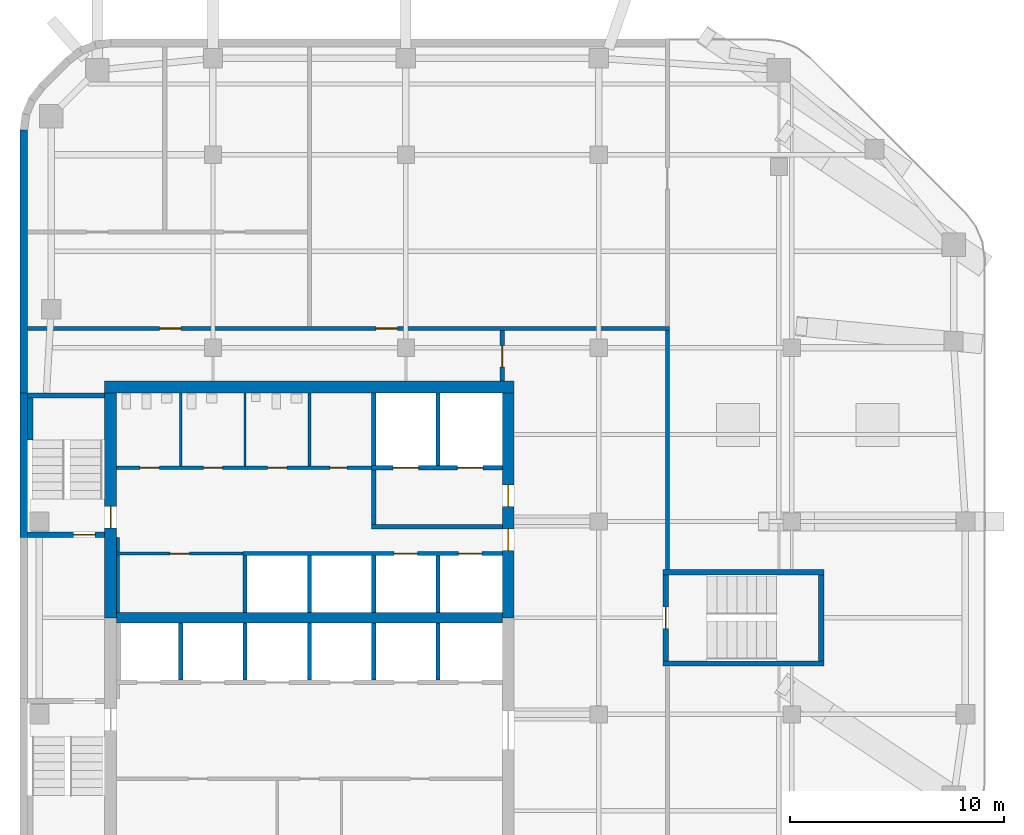
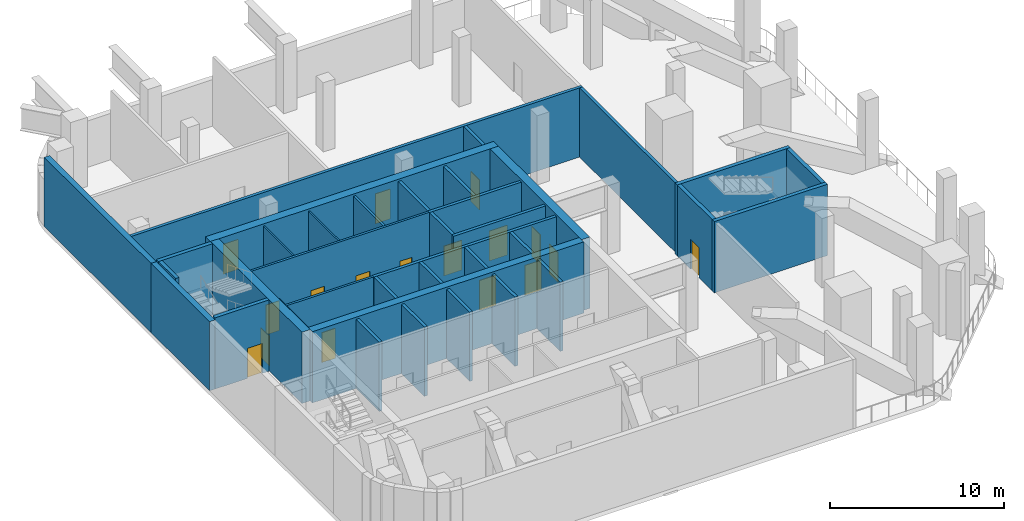
# One storey, part 4 of 8: 38 walls, 17 doors, 17 openings.
"""IFC4 building model written with IfcOpenShell, lengths in metres."""

from ifc_helpers import new_model, si_unit, direction, frame, frame_2d, origin, place, context, subcontext, project, spatial, rectangle, extrude, material, layer, layer_set, type_object, element, fill, save


model = new_model("IFC4")

# Units and contexts
model_context = context("Model", 3, precision=1e-05, world=origin(), true_north=direction((0.0, 1.0)))
body_context = subcontext(model_context, "Body", "Model", "MODEL_VIEW")
ifc_project = project(units=[si_unit("LENGTHUNIT", "METRE"), si_unit("AREAUNIT", "SQUARE_METRE"), si_unit("VOLUMEUNIT", "CUBIC_METRE"), si_unit("PLANEANGLEUNIT", "RADIAN"), si_unit("MASSUNIT", "GRAM", prefix="KILO")], contexts=[model_context])

# Site, building, storey
site_placement = place(None, origin())
site = spatial("IfcSite", under=ifc_project, at=site_placement, CompositionType="ELEMENT")
building_placement = place(site_placement, origin())
building = spatial("IfcBuilding", under=site, at=building_placement, Name="Cinnabar Reach Civic Tower", CompositionType="ELEMENT")
storey_placement = place(building_placement, frame((0.0, 0.0, 242.0)))
storey = spatial("IfcBuildingStorey", under=building, at=storey_placement, Name="L58", CompositionType="ELEMENT", Elevation=242.0)

# Walls
ifc_material_1 = material(Name="Facing brick with insulated backing", Category="masonry")
ifc_layer_1 = layer(ifc_material_1, 0.36)
ifc_layer_set_1 = layer_set([ifc_layer_1], Name="Brick pier and spandrel wall")
wall_type_1 = type_object("IfcWallType", Name="Brick pier and spandrel wall", PredefinedType="STANDARD", material=ifc_layer_set_1)
wall_1_placement = place(storey_placement, frame((0.18, 54.2574, 0.0), z_axis=(0.0, 0.0, 1.0), x_axis=(0.0, -1.0, 0.0)))
element("IfcWall", 1, at=wall_1_placement, inside=storey, type_object=wall_type_1, Name="Brick facade wall", PredefinedType="STANDARD", context=body_context, shape_type="SweptSolid", body=[
    extrude(rectangle(XDim=12.2574, YDim=0.36, at=frame_2d((6.1287, 0.0))), origin(), (0.0, 0.0, 1.0), 4.85),
])
wall_2_placement = place(storey_placement, frame((0.18, 42.0, 0.0), z_axis=(0.0, 0.0, 1.0), x_axis=(0.0, -1.0, 0.0)))
element("IfcWall", 2, at=wall_2_placement, inside=storey, type_object=wall_type_1, Name="Brick facade wall", PredefinedType="STANDARD", context=body_context, shape_type="SweptSolid", body=[
    extrude(rectangle(XDim=6.75, YDim=0.36, at=frame_2d((3.375, 0.0))), origin(), (0.0, 0.0, 1.0), 4.85),
])
ifc_material_2 = material(Name="Concrete C60", Category="concrete")
ifc_layer_2 = layer(ifc_material_2, 0.5)
ifc_layer_set_2 = layer_set([ifc_layer_2], Name="Core wall 500 EI 180")
wall_type_2 = type_object("IfcWallType", Name="Core wall 500 EI 180", PredefinedType="SOLIDWALL", material=ifc_layer_set_2)
wall_3_placement = place(storey_placement, frame((4.5, 31.5, 0.0), z_axis=(0.0, 0.0, 1.0), x_axis=(1.0, 0.0, 0.0)))
element("IfcWall", 3, at=wall_3_placement, inside=storey, type_object=wall_type_2, Name="Core spine wall T1 L58", PredefinedType="SOLIDWALL", context=body_context, shape_type="SweptSolid", body=[
    extrude(rectangle(XDim=18.0, YDim=0.5, at=frame_2d((9.0, 0.0))), origin(), (0.0, 0.0, 1.0), 5.0),
])
ifc_layer_3 = layer(ifc_material_2, 0.55)
ifc_layer_set_3 = layer_set([ifc_layer_3], Name="Core wall 550 EI 180")
wall_type_3 = type_object("IfcWallType", Name="Core wall 550 EI 180", PredefinedType="SOLIDWALL", material=ifc_layer_set_3)
wall_4_placement = place(storey_placement, frame((23.05, 42.275, 0.0), z_axis=(0.0, 0.0, 1.0), x_axis=(-1.0, 0.0, 0.0)))
element("IfcWall", 4, at=wall_4_placement, inside=storey, type_object=wall_type_3, Name="Core wall T1 L58 N", PredefinedType="SOLIDWALL", context=body_context, shape_type="SweptSolid", body=[
    extrude(rectangle(XDim=19.1, YDim=0.55, at=frame_2d((9.55, 0.0))), origin(), (0.0, 0.0, 1.0), 5.0),
])

# Wall, openings, doors
wall_5_placement = place(storey_placement, frame((22.775, 31.5, 0.0), z_axis=(0.0, 0.0, 1.0), x_axis=(0.0, 1.0, 0.0)))
wall_5 = element("IfcWall", 5, at=wall_5_placement, inside=storey, type_object=wall_type_3, Name="Core wall T1 L58 E2", PredefinedType="SOLIDWALL", context=body_context, shape_type="SweptSolid", body=[
    extrude(rectangle(XDim=10.5, YDim=0.55, at=frame_2d((5.25, 0.0))), origin(), (0.0, 0.0, 1.0), 5.0),
])
opening_1_placement = place(wall_5_placement, frame((3.15, 0.0, 0.0)))
opening_1 = element("IfcOpeningElement", 6, at=opening_1_placement, cuts=wall_5, Name="Opening D5354", PredefinedType="OPENING", context=body_context, shape_type="SweptSolid", body=[
    extrude(rectangle(XDim=1.0, YDim=2.1, at=frame_2d((0.5, 1.05))), frame((0.0, 0.285, 0.0), z_axis=(0.0, -1.0, 0.0), x_axis=(1.0, 0.0, 0.0)), (0.0, 0.0, 1.0), 0.57),
])
opening_2_placement = place(wall_5_placement, frame((5.2, 0.0, 0.0)))
opening_2 = element("IfcOpeningElement", 7, at=opening_2_placement, cuts=wall_5, Name="Opening D5355", PredefinedType="OPENING", context=body_context, shape_type="SweptSolid", body=[
    extrude(rectangle(XDim=1.0, YDim=2.1, at=frame_2d((0.5, 1.05))), frame((0.0, 0.285, 0.0), z_axis=(0.0, -1.0, 0.0), x_axis=(1.0, 0.0, 0.0)), (0.0, 0.0, 1.0), 0.57),
])
ifc_material_3 = material(Name="Timber door leaf in steel frame", Category="steel")
door_type_1 = type_object("IfcDoorType", Name="Firefighting lobby door 1000 x 2100 T1", OperationType="SINGLE_SWING_LEFT", PredefinedType="DOOR", material=ifc_material_3)
door_1_placement = place(opening_2_placement, origin())
door_1 = element("IfcDoor", 8, at=door_1_placement, inside=storey, type_object=door_type_1, Name="Door D5355", OperationType="SINGLE_SWING_LEFT", OverallHeight=2.1, OverallWidth=1.0, PredefinedType="DOOR", context=body_context, shape_type="SweptSolid", body=[
    extrude(rectangle(XDim=1.0, YDim=2.1, at=frame_2d((0.5, 1.05))), frame((0.0, 0.025, 0.0), z_axis=(0.0, -1.0, 0.0), x_axis=(1.0, 0.0, 0.0)), (0.0, 0.0, 1.0), 0.05),
])
fill(opening_2, door_1)
door_type_2 = type_object("IfcDoorType", Name="Single swing door 1000 x 2100 T1", OperationType="SINGLE_SWING_LEFT", PredefinedType="DOOR", material=ifc_material_3)
door_2_placement = place(opening_1_placement, origin())
door_2 = element("IfcDoor", 9, at=door_2_placement, inside=storey, type_object=door_type_2, Name="Door D5354", OperationType="SINGLE_SWING_RIGHT", OverallHeight=2.1, OverallWidth=1.0, PredefinedType="DOOR", context=body_context, shape_type="SweptSolid", body=[
    extrude(rectangle(XDim=1.0, YDim=2.1, at=frame_2d((0.5, 1.05))), frame((0.0, 0.025, 0.0), z_axis=(0.0, -1.0, 0.0), x_axis=(1.0, 0.0, 0.0)), (0.0, 0.0, 1.0), 0.05),
])
fill(opening_1, door_2)

# Wall, opening, door
wall_6_placement = place(storey_placement, frame((4.225, 42.0, 0.0), z_axis=(0.0, 0.0, 1.0), x_axis=(0.0, -1.0, 0.0)))
wall_6 = element("IfcWall", 10, at=wall_6_placement, inside=storey, type_object=wall_type_3, Name="Core wall T1 L58 W", PredefinedType="SOLIDWALL", context=body_context, shape_type="SweptSolid", body=[
    extrude(rectangle(XDim=10.5, YDim=0.55, at=frame_2d((5.25, 0.0))), origin(), (0.0, 0.0, 1.0), 5.0),
])
opening_3_placement = place(wall_6_placement, frame((5.3, 0.0, 0.0)))
opening_3 = element("IfcOpeningElement", 11, at=opening_3_placement, cuts=wall_6, Name="Opening D5339", PredefinedType="OPENING", context=body_context, shape_type="SweptSolid", body=[
    extrude(rectangle(XDim=1.0, YDim=2.1, at=frame_2d((0.5, 1.05))), frame((0.0, 0.285, 0.0), z_axis=(0.0, -1.0, 0.0), x_axis=(1.0, 0.0, 0.0)), (0.0, 0.0, 1.0), 0.57),
])
door_type_3 = type_object("IfcDoorType", Name="Stair door 1000 x 2100 T1", OperationType="SINGLE_SWING_LEFT", PredefinedType="DOOR", material=ifc_material_3)
door_3_placement = place(opening_3_placement, frame((1.0, 0.0, 0.0), z_axis=(0.0, 0.0, 1.0), x_axis=(-1.0, 0.0, 0.0)))
door_3 = element("IfcDoor", 12, at=door_3_placement, inside=storey, type_object=door_type_3, Name="Door D5339", OperationType="SINGLE_SWING_LEFT", OverallHeight=2.1, OverallWidth=1.0, PredefinedType="DOOR", context=body_context, shape_type="SweptSolid", body=[
    extrude(rectangle(XDim=1.0, YDim=2.1, at=frame_2d((0.5, 1.05))), frame((0.0, 0.025, 0.0), z_axis=(0.0, -1.0, 0.0), x_axis=(1.0, 0.0, 0.0)), (0.0, 0.0, 1.0), 0.05),
])
fill(opening_3, door_3)

# Wall, openings, doors
ifc_material_4 = material(Name="Gypsum board on steel studs, double layer", Category="steel")
ifc_layer_4 = layer(ifc_material_4, 0.15)
ifc_layer_set_4 = layer_set([ifc_layer_4], Name="Corridor wall 150 T1")
wall_type_4 = type_object("IfcWallType", Name="Corridor wall 150 T1", PredefinedType="PARTITIONING", material=ifc_layer_set_4)
wall_7_placement = place(storey_placement, frame((4.5, 38.5, 0.0), z_axis=(0.0, 0.0, 1.0), x_axis=(1.0, 0.0, 0.0)))
wall_7 = element("IfcWall", 13, at=wall_7_placement, inside=storey, type_object=wall_type_4, Name="Corridor wall 33", PredefinedType="PARTITIONING", context=body_context, shape_type="SweptSolid", body=[
    extrude(rectangle(XDim=11.9, YDim=0.15, at=frame_2d((5.95, 0.0))), origin(), (0.0, 0.0, 1.0), 4.85),
])
opening_4_placement = place(wall_7_placement, frame((1.1, 0.0, 0.0)))
opening_4 = element("IfcOpeningElement", 14, at=opening_4_placement, cuts=wall_7, Name="Opening D5361", PredefinedType="OPENING", context=body_context, shape_type="SweptSolid", body=[
    extrude(rectangle(XDim=0.9, YDim=2.1, at=frame_2d((0.45, 1.05))), frame((0.0, 0.085, 0.0), z_axis=(0.0, -1.0, 0.0), x_axis=(1.0, 0.0, 0.0)), (0.0, 0.0, 1.0), 0.17),
])
opening_5_placement = place(wall_7_placement, frame((4.05, 0.0, 0.0)))
opening_5 = element("IfcOpeningElement", 15, at=opening_5_placement, cuts=wall_7, Name="Opening D5362", PredefinedType="OPENING", context=body_context, shape_type="SweptSolid", body=[
    extrude(rectangle(XDim=0.9, YDim=2.1, at=frame_2d((0.45, 1.05))), frame((0.0, 0.085, 0.0), z_axis=(0.0, -1.0, 0.0), x_axis=(1.0, 0.0, 0.0)), (0.0, 0.0, 1.0), 0.17),
])
opening_6_placement = place(wall_7_placement, frame((7.05, 0.0, 0.0)))
opening_6 = element("IfcOpeningElement", 16, at=opening_6_placement, cuts=wall_7, Name="Opening D5363", PredefinedType="OPENING", context=body_context, shape_type="SweptSolid", body=[
    extrude(rectangle(XDim=0.9, YDim=2.1, at=frame_2d((0.45, 1.05))), frame((0.0, 0.085, 0.0), z_axis=(0.0, -1.0, 0.0), x_axis=(1.0, 0.0, 0.0)), (0.0, 0.0, 1.0), 0.17),
])
opening_7_placement = place(wall_7_placement, frame((9.95, 0.0, 0.0)))
opening_7 = element("IfcOpeningElement", 17, at=opening_7_placement, cuts=wall_7, Name="Opening D5364", PredefinedType="OPENING", context=body_context, shape_type="SweptSolid", body=[
    extrude(rectangle(XDim=0.8, YDim=2.1, at=frame_2d((0.4, 1.05))), frame((0.0, 0.085, 0.0), z_axis=(0.0, -1.0, 0.0), x_axis=(1.0, 0.0, 0.0)), (0.0, 0.0, 1.0), 0.17),
])
door_type_4 = type_object("IfcDoorType", Name="Riser access door 800 x 2100 T1", OperationType="SINGLE_SWING_LEFT", PredefinedType="DOOR", material=ifc_material_3)
door_4_placement = place(opening_7_placement, origin())
door_4 = element("IfcDoor", 18, at=door_4_placement, inside=storey, type_object=door_type_4, Name="Door D5364", OperationType="SINGLE_SWING_RIGHT", OverallHeight=2.1, OverallWidth=0.8, PredefinedType="DOOR", context=body_context, shape_type="SweptSolid", body=[
    extrude(rectangle(XDim=0.8, YDim=2.1, at=frame_2d((0.4, 1.05))), frame((0.0, 0.025, 0.0), z_axis=(0.0, -1.0, 0.0), x_axis=(1.0, 0.0, 0.0)), (0.0, 0.0, 1.0), 0.05),
])
fill(opening_7, door_4)
door_type_5 = type_object("IfcDoorType", Name="Single swing door 900 x 2100 corridor T1", OperationType="SINGLE_SWING_LEFT", PredefinedType="DOOR", material=ifc_material_3)
door_5_placement = place(opening_4_placement, origin())
door_5 = element("IfcDoor", 19, at=door_5_placement, inside=storey, type_object=door_type_5, Name="Door D5361", OperationType="SINGLE_SWING_RIGHT", OverallHeight=2.1, OverallWidth=0.9, PredefinedType="DOOR", context=body_context, shape_type="SweptSolid", body=[
    extrude(rectangle(XDim=0.9, YDim=2.1, at=frame_2d((0.45, 1.05))), frame((0.0, 0.025, 0.0), z_axis=(0.0, -1.0, 0.0), x_axis=(1.0, 0.0, 0.0)), (0.0, 0.0, 1.0), 0.05),
])
fill(opening_4, door_5)
door_6_placement = place(opening_5_placement, origin())
door_6 = element("IfcDoor", 20, at=door_6_placement, inside=storey, type_object=door_type_5, Name="Door D5362", OperationType="SINGLE_SWING_LEFT", OverallHeight=2.1, OverallWidth=0.9, PredefinedType="DOOR", context=body_context, shape_type="SweptSolid", body=[
    extrude(rectangle(XDim=0.9, YDim=2.1, at=frame_2d((0.45, 1.05))), frame((0.0, 0.025, 0.0), z_axis=(0.0, -1.0, 0.0), x_axis=(1.0, 0.0, 0.0)), (0.0, 0.0, 1.0), 0.05),
])
fill(opening_5, door_6)
door_7_placement = place(opening_6_placement, origin())
door_7 = element("IfcDoor", 21, at=door_7_placement, inside=storey, type_object=door_type_5, Name="Door D5363", OperationType="SINGLE_SWING_LEFT", OverallHeight=2.1, OverallWidth=0.9, PredefinedType="DOOR", context=body_context, shape_type="SweptSolid", body=[
    extrude(rectangle(XDim=0.9, YDim=2.1, at=frame_2d((0.45, 1.05))), frame((0.0, 0.025, 0.0), z_axis=(0.0, -1.0, 0.0), x_axis=(1.0, 0.0, 0.0)), (0.0, 0.0, 1.0), 0.05),
])
fill(opening_6, door_7)

# Wall, opening, door
wall_8_placement = place(storey_placement, frame((4.5, 34.5, 0.0), z_axis=(0.0, 0.0, 1.0), x_axis=(1.0, 0.0, 0.0)))
wall_8 = element("IfcWall", 22, at=wall_8_placement, inside=storey, type_object=wall_type_4, Name="Corridor wall 34", PredefinedType="PARTITIONING", context=body_context, shape_type="SweptSolid", body=[
    extrude(rectangle(XDim=5.9, YDim=0.15, at=frame_2d((2.95, 0.0))), origin(), (0.0, 0.0, 1.0), 4.85),
])
opening_8_placement = place(wall_8_placement, frame((2.5, 0.0, 0.0)))
opening_8 = element("IfcOpeningElement", 23, at=opening_8_placement, cuts=wall_8, Name="Opening D5360", PredefinedType="OPENING", context=body_context, shape_type="SweptSolid", body=[
    extrude(rectangle(XDim=0.9, YDim=2.1, at=frame_2d((0.45, 1.05))), frame((0.0, 0.085, 0.0), z_axis=(0.0, -1.0, 0.0), x_axis=(1.0, 0.0, 0.0)), (0.0, 0.0, 1.0), 0.17),
])
door_8_placement = place(opening_8_placement, frame((0.9, 0.0, 0.0), z_axis=(0.0, 0.0, 1.0), x_axis=(-1.0, 0.0, 0.0)))
door_8 = element("IfcDoor", 24, at=door_8_placement, inside=storey, type_object=door_type_5, Name="Door D5360", OperationType="SINGLE_SWING_LEFT", OverallHeight=2.1, OverallWidth=0.9, PredefinedType="DOOR", context=body_context, shape_type="SweptSolid", body=[
    extrude(rectangle(XDim=0.9, YDim=2.1, at=frame_2d((0.45, 1.05))), frame((0.0, 0.025, 0.0), z_axis=(0.0, -1.0, 0.0), x_axis=(1.0, 0.0, 0.0)), (0.0, 0.0, 1.0), 0.05),
])
fill(opening_8, door_8)

# Walls
wall_9_placement = place(storey_placement, frame((4.575, 34.575, 0.0), z_axis=(0.0, 0.0, 1.0), x_axis=(0.0, 1.0, 0.0)))
element("IfcWall", 25, at=wall_9_placement, inside=storey, type_object=wall_type_4, Name="Corridor wall 35", PredefinedType="PARTITIONING", context=body_context, shape_type="SweptSolid", body=[
    extrude(rectangle(XDim=0.675, YDim=0.15, at=frame_2d((0.3375, 0.0))), origin(), (0.0, 0.0, 1.0), 4.85),
])
wall_10_placement = place(storey_placement, frame((4.575, 31.75, 0.0), z_axis=(0.0, 0.0, 1.0), x_axis=(0.0, 1.0, 0.0)))
element("IfcWall", 26, at=wall_10_placement, inside=storey, type_object=wall_type_4, Name="Corridor wall 36", PredefinedType="PARTITIONING", context=body_context, shape_type="SweptSolid", body=[
    extrude(rectangle(XDim=2.675, YDim=0.15, at=frame_2d((1.3375, 0.0))), origin(), (0.0, 0.0, 1.0), 4.85),
])

# Wall, openings, doors
ifc_material_5 = material(Name="Blockwork", Category="masonry")
ifc_layer_5 = layer(ifc_material_5, 0.2)
ifc_layer_set_5 = layer_set([ifc_layer_5], Name="Lift shaft wall 200 T1")
wall_type_5 = type_object("IfcWallType", Name="Lift shaft wall 200 T1", PredefinedType="PARTITIONING", material=ifc_layer_set_5)
wall_11_placement = place(storey_placement, frame((10.4, 34.5, 0.0), z_axis=(0.0, 0.0, 1.0), x_axis=(1.0, 0.0, 0.0)))
wall_11 = element("IfcWall", 27, at=wall_11_placement, inside=storey, type_object=wall_type_5, Name="Lift shaft wall 16", PredefinedType="PARTITIONING", context=body_context, shape_type="SweptSolid", body=[
    extrude(rectangle(XDim=12.1, YDim=0.2, at=frame_2d((6.05, 0.0))), origin(), (0.0, 0.0, 1.0), 4.85),
])
opening_9_placement = place(wall_11_placement, frame((7.05, 0.0, 0.0)))
opening_9 = element("IfcOpeningElement", 28, at=opening_9_placement, cuts=wall_11, Name="Opening D5347", PredefinedType="OPENING", context=body_context, shape_type="SweptSolid", body=[
    extrude(rectangle(XDim=1.1, YDim=2.1, at=frame_2d((0.55, 1.05))), frame((0.0, 0.11, 0.0), z_axis=(0.0, -1.0, 0.0), x_axis=(1.0, 0.0, 0.0)), (0.0, 0.0, 1.0), 0.22),
])
opening_10_placement = place(wall_11_placement, frame((10.05, 0.0, 0.0)))
opening_10 = element("IfcOpeningElement", 29, at=opening_10_placement, cuts=wall_11, Name="Opening D5348", PredefinedType="OPENING", context=body_context, shape_type="SweptSolid", body=[
    extrude(rectangle(XDim=1.1, YDim=2.1, at=frame_2d((0.55, 1.05))), frame((0.0, 0.11, 0.0), z_axis=(0.0, -1.0, 0.0), x_axis=(1.0, 0.0, 0.0)), (0.0, 0.0, 1.0), 0.22),
])
ifc_material_6 = material(Name="Stainless steel sliding door", Category="steel")
door_type_6 = type_object("IfcDoorType", Name="Lift landing door 1100 x 2100 T1", OperationType="SLIDING_TO_LEFT", PredefinedType="DOOR", material=ifc_material_6)
door_9_placement = place(opening_9_placement, origin())
door_9 = element("IfcDoor", 30, at=door_9_placement, inside=storey, type_object=door_type_6, Name="Lift landing door SV1 L58", OperationType="SLIDING_TO_LEFT", OverallHeight=2.1, OverallWidth=1.1, PredefinedType="DOOR", context=body_context, shape_type="SweptSolid", body=[
    extrude(rectangle(XDim=1.1, YDim=2.1, at=frame_2d((0.55, 1.05))), frame((0.0, 0.025, 0.0), z_axis=(0.0, -1.0, 0.0), x_axis=(1.0, 0.0, 0.0)), (0.0, 0.0, 1.0), 0.05),
])
fill(opening_9, door_9)
door_10_placement = place(opening_10_placement, origin())
door_10 = element("IfcDoor", 31, at=door_10_placement, inside=storey, type_object=door_type_6, Name="Lift landing door SV2 L58", OperationType="SLIDING_TO_LEFT", OverallHeight=2.1, OverallWidth=1.1, PredefinedType="DOOR", context=body_context, shape_type="SweptSolid", body=[
    extrude(rectangle(XDim=1.1, YDim=2.1, at=frame_2d((0.55, 1.05))), frame((0.0, 0.025, 0.0), z_axis=(0.0, -1.0, 0.0), x_axis=(1.0, 0.0, 0.0)), (0.0, 0.0, 1.0), 0.05),
])
fill(opening_10, door_10)

# Walls
for number, where, z_axis, x_axis, name in (
    (32, (10.5, 28.6, 0.0), (0.0, 0.0, 1.0), (0.0, 1.0, 0.0), "Lift shaft wall 17"),
    (33, (10.5, 31.75, 0.0), (0.0, 0.0, 1.0), (0.0, 1.0, 0.0), "Lift shaft wall 18"),
    (34, (13.5, 28.6, 0.0), (0.0, 0.0, 1.0), (0.0, 1.0, 0.0), "Lift shaft wall 19"),
    (35, (13.5, 31.75, 0.0), (0.0, 0.0, 1.0), (0.0, 1.0, 0.0), "Lift shaft wall 20"),
    (36, (16.5, 28.6, 0.0), (0.0, 0.0, 1.0), (0.0, 1.0, 0.0), "Lift shaft wall 21"),
    (37, (16.5, 31.75, 0.0), (0.0, 0.0, 1.0), (0.0, 1.0, 0.0), "Lift shaft wall 22"),
    (38, (19.5, 28.6, 0.0), (0.0, 0.0, 1.0), (0.0, 1.0, 0.0), "Lift shaft wall 23"),
    (39, (19.5, 31.75, 0.0), (0.0, 0.0, 1.0), (0.0, 1.0, 0.0), "Lift shaft wall 24"),
):
    element("IfcWall", number, at=place(storey_placement, frame(where, z_axis=z_axis, x_axis=x_axis)), inside=storey, type_object=wall_type_5, Name=name, PredefinedType="PARTITIONING", context=body_context, shape_type="SweptSolid", body=[
        extrude(rectangle(XDim=2.65, YDim=0.2, at=frame_2d((1.325, 0.0))), origin(), (0.0, 0.0, 1.0), 4.85),
    ])
for number, where, z_axis, x_axis, name in (
    (40, (16.5, 38.6, 0.0), (0.0, 0.0, 1.0), (0.0, 1.0, 0.0), "Lift shaft wall 25"),
    (41, (19.5, 38.6, 0.0), (0.0, 0.0, 1.0), (0.0, 1.0, 0.0), "Lift shaft wall 26"),
):
    element("IfcWall", number, at=place(storey_placement, frame(where, z_axis=z_axis, x_axis=x_axis)), inside=storey, type_object=wall_type_5, Name=name, PredefinedType="PARTITIONING", context=body_context, shape_type="SweptSolid", body=[
        extrude(rectangle(XDim=3.4, YDim=0.2, at=frame_2d((1.7, 0.0))), origin(), (0.0, 0.0, 1.0), 4.85),
    ])
wall_12_placement = place(storey_placement, frame((7.5, 28.6, 0.0), z_axis=(0.0, 0.0, 1.0), x_axis=(0.0, 1.0, 0.0)))
element("IfcWall", 42, at=wall_12_placement, inside=storey, type_object=wall_type_5, Name="Lift shaft wall 28", PredefinedType="PARTITIONING", context=body_context, shape_type="SweptSolid", body=[
    extrude(rectangle(XDim=2.65, YDim=0.2, at=frame_2d((1.325, 0.0))), origin(), (0.0, 0.0, 1.0), 4.85),
])
ifc_material_7 = material(Name="Gypsum board on steel studs", Category="steel")
ifc_layer_6 = layer(ifc_material_7, 0.1)
ifc_layer_set_6 = layer_set([ifc_layer_6], Name="Partition wall 100 T1")
wall_type_6 = type_object("IfcWallType", Name="Partition wall 100 T1", PredefinedType="PARTITIONING", material=ifc_layer_set_6)
for number, where, z_axis, x_axis, name in (
    (43, (7.5, 38.575, 0.0), (0.0, 0.0, 1.0), (0.0, 1.0, 0.0), "Partition wall 39"),
    (44, (10.5, 38.575, 0.0), (0.0, 0.0, 1.0), (0.0, 1.0, 0.0), "Partition wall 40"),
):
    element("IfcWall", number, at=place(storey_placement, frame(where, z_axis=z_axis, x_axis=x_axis)), inside=storey, type_object=wall_type_6, Name=name, PredefinedType="PARTITIONING", context=body_context, shape_type="SweptSolid", body=[
        extrude(rectangle(XDim=3.425, YDim=0.1, at=frame_2d((1.7125, 0.0))), origin(), (0.0, 0.0, 1.0), 4.85),
    ])

# Wall, openings, doors
ifc_material_8 = material(Name="Concrete C40", Category="concrete")
ifc_layer_7 = layer(ifc_material_8, 0.2)
ifc_layer_set_7 = layer_set([ifc_layer_7], Name="Refuge compartment wall 200 T1")
wall_type_7 = type_object("IfcWallType", Name="Refuge compartment wall 200 T1", PredefinedType="PARTITIONING", material=ifc_layer_set_7)
wall_13_placement = place(storey_placement, frame((0.36, 45.0, 0.0), z_axis=(0.0, 0.0, 1.0), x_axis=(1.0, 0.0, 0.0)))
wall_13 = element("IfcWall", 45, at=wall_13_placement, inside=storey, type_object=wall_type_7, Name="Refuge compartment wall 1", PredefinedType="PARTITIONING", context=body_context, shape_type="SweptSolid", body=[
    extrude(rectangle(XDim=29.94, YDim=0.2, at=frame_2d((14.97, 0.0))), origin(), (0.0, 0.0, 1.0), 4.85),
])
opening_11_placement = place(wall_13_placement, frame((6.15, 0.0, 0.0)))
opening_11 = element("IfcOpeningElement", 46, at=opening_11_placement, cuts=wall_13, Name="Opening D5368", PredefinedType="OPENING", context=body_context, shape_type="SweptSolid", body=[
    extrude(rectangle(XDim=1.0, YDim=2.1, at=frame_2d((0.5, 1.05))), frame((0.0, 0.11, 0.0), z_axis=(0.0, -1.0, 0.0), x_axis=(1.0, 0.0, 0.0)), (0.0, 0.0, 1.0), 0.22),
])
opening_12_placement = place(wall_13_placement, frame((16.24, 0.0, 0.0)))
opening_12 = element("IfcOpeningElement", 47, at=opening_12_placement, cuts=wall_13, Name="Opening D5371", PredefinedType="OPENING", context=body_context, shape_type="SweptSolid", body=[
    extrude(rectangle(XDim=1.0, YDim=2.1, at=frame_2d((0.5, 1.05))), frame((0.0, 0.11, 0.0), z_axis=(0.0, -1.0, 0.0), x_axis=(1.0, 0.0, 0.0)), (0.0, 0.0, 1.0), 0.22),
])
door_type_7 = type_object("IfcDoorType", Name="Refuge door 1000 x 2100 T1", OperationType="SINGLE_SWING_LEFT", PredefinedType="DOOR", material=ifc_material_3)
door_11_placement = place(opening_11_placement, origin())
door_11 = element("IfcDoor", 48, at=door_11_placement, inside=storey, type_object=door_type_7, Name="Door D5368", OperationType="SINGLE_SWING_RIGHT", OverallHeight=2.1, OverallWidth=1.0, PredefinedType="DOOR", context=body_context, shape_type="SweptSolid", body=[
    extrude(rectangle(XDim=1.0, YDim=2.1, at=frame_2d((0.5, 1.05))), frame((0.0, 0.025, 0.0), z_axis=(0.0, -1.0, 0.0), x_axis=(1.0, 0.0, 0.0)), (0.0, 0.0, 1.0), 0.05),
])
fill(opening_11, door_11)
door_12_placement = place(opening_12_placement, origin())
door_12 = element("IfcDoor", 49, at=door_12_placement, inside=storey, type_object=door_type_7, Name="Door D5371", OperationType="SINGLE_SWING_LEFT", OverallHeight=2.1, OverallWidth=1.0, PredefinedType="DOOR", context=body_context, shape_type="SweptSolid", body=[
    extrude(rectangle(XDim=1.0, YDim=2.1, at=frame_2d((0.5, 1.05))), frame((0.0, 0.025, 0.0), z_axis=(0.0, -1.0, 0.0), x_axis=(1.0, 0.0, 0.0)), (0.0, 0.0, 1.0), 0.05),
])
fill(opening_12, door_12)

# Walls
wall_14_placement = place(storey_placement, frame((30.2, 33.75, 0.0), z_axis=(0.0, 0.0, 1.0), x_axis=(0.0, 1.0, 0.0)))
element("IfcWall", 50, at=wall_14_placement, inside=storey, type_object=wall_type_7, Name="Refuge compartment wall 3", PredefinedType="PARTITIONING", context=body_context, shape_type="SweptSolid", body=[
    extrude(rectangle(XDim=11.15, YDim=0.2, at=frame_2d((5.575, 0.0))), origin(), (0.0, 0.0, 1.0), 4.85),
])
wall_15_placement = place(storey_placement, frame((16.4, 35.75, 0.0), z_axis=(0.0, 0.0, 1.0), x_axis=(1.0, 0.0, 0.0)))
element("IfcWall", 51, at=wall_15_placement, inside=storey, type_object=wall_type_7, Name="Refuge compartment wall 10", PredefinedType="PARTITIONING", context=body_context, shape_type="SweptSolid", body=[
    extrude(rectangle(XDim=6.1, YDim=0.2, at=frame_2d((3.05, 0.0))), origin(), (0.0, 0.0, 1.0), 4.85),
])

# Wall, openings, doors
wall_16_placement = place(storey_placement, frame((16.4, 38.5, 0.0), z_axis=(0.0, 0.0, 1.0), x_axis=(1.0, 0.0, 0.0)))
wall_16 = element("IfcWall", 52, at=wall_16_placement, inside=storey, type_object=wall_type_7, Name="Refuge compartment wall 11", PredefinedType="PARTITIONING", context=body_context, shape_type="SweptSolid", body=[
    extrude(rectangle(XDim=6.1, YDim=0.2, at=frame_2d((3.05, 0.0))), origin(), (0.0, 0.0, 1.0), 4.85),
])
opening_13_placement = place(wall_16_placement, frame((1.0, 0.0, 0.0)))
opening_13 = element("IfcOpeningElement", 53, at=opening_13_placement, cuts=wall_16, Name="Opening D5349", PredefinedType="OPENING", context=body_context, shape_type="SweptSolid", body=[
    extrude(rectangle(XDim=1.2, YDim=2.1, at=frame_2d((0.6, 1.05))), frame((0.0, 0.11, 0.0), z_axis=(0.0, -1.0, 0.0), x_axis=(1.0, 0.0, 0.0)), (0.0, 0.0, 1.0), 0.22),
])
opening_14_placement = place(wall_16_placement, frame((4.0, 0.0, 0.0)))
opening_14 = element("IfcOpeningElement", 54, at=opening_14_placement, cuts=wall_16, Name="Opening D5350", PredefinedType="OPENING", context=body_context, shape_type="SweptSolid", body=[
    extrude(rectangle(XDim=1.2, YDim=2.1, at=frame_2d((0.6, 1.05))), frame((0.0, 0.11, 0.0), z_axis=(0.0, -1.0, 0.0), x_axis=(1.0, 0.0, 0.0)), (0.0, 0.0, 1.0), 0.22),
])
door_type_8 = type_object("IfcDoorType", Name="Firefighting lift landing door 1200 x 2100 T1", OperationType="SLIDING_TO_LEFT", PredefinedType="DOOR", material=ifc_material_6)
door_13_placement = place(opening_13_placement, origin())
door_13 = element("IfcDoor", 55, at=door_13_placement, inside=storey, type_object=door_type_8, Name="Lift landing door FF1 L58", OperationType="SLIDING_TO_LEFT", OverallHeight=2.1, OverallWidth=1.2, PredefinedType="DOOR", context=body_context, shape_type="SweptSolid", body=[
    extrude(rectangle(XDim=1.2, YDim=2.1, at=frame_2d((0.6, 1.05))), frame((0.0, 0.025, 0.0), z_axis=(0.0, -1.0, 0.0), x_axis=(1.0, 0.0, 0.0)), (0.0, 0.0, 1.0), 0.05),
])
fill(opening_13, door_13)
door_14_placement = place(opening_14_placement, origin())
door_14 = element("IfcDoor", 56, at=door_14_placement, inside=storey, type_object=door_type_8, Name="Lift landing door FF2 L58", OperationType="SLIDING_TO_LEFT", OverallHeight=2.1, OverallWidth=1.2, PredefinedType="DOOR", context=body_context, shape_type="SweptSolid", body=[
    extrude(rectangle(XDim=1.2, YDim=2.1, at=frame_2d((0.6, 1.05))), frame((0.0, 0.025, 0.0), z_axis=(0.0, -1.0, 0.0), x_axis=(1.0, 0.0, 0.0)), (0.0, 0.0, 1.0), 0.05),
])
fill(opening_14, door_14)

# Wall, opening, door
wall_17_placement = place(storey_placement, frame((22.5, 42.55, 0.0), z_axis=(0.0, 0.0, 1.0), x_axis=(0.0, 1.0, 0.0)))
wall_17 = element("IfcWall", 57, at=wall_17_placement, inside=storey, type_object=wall_type_7, Name="Refuge compartment wall 13", PredefinedType="PARTITIONING", context=body_context, shape_type="SweptSolid", body=[
    extrude(rectangle(XDim=2.35, YDim=0.2, at=frame_2d((1.175, 0.0))), origin(), (0.0, 0.0, 1.0), 4.85),
])
opening_15_placement = place(wall_17_placement, frame((0.65, 0.0, 0.0)))
opening_15 = element("IfcOpeningElement", 58, at=opening_15_placement, cuts=wall_17, Name="Opening D5352", PredefinedType="OPENING", context=body_context, shape_type="SweptSolid", body=[
    extrude(rectangle(XDim=1.0, YDim=2.1, at=frame_2d((0.5, 1.05))), frame((0.0, 0.11, 0.0), z_axis=(0.0, -1.0, 0.0), x_axis=(1.0, 0.0, 0.0)), (0.0, 0.0, 1.0), 0.22),
])
door_15_placement = place(opening_15_placement, frame((1.0, 0.0, 0.0), z_axis=(0.0, 0.0, 1.0), x_axis=(-1.0, 0.0, 0.0)))
door_15 = element("IfcDoor", 59, at=door_15_placement, inside=storey, type_object=door_type_7, Name="Door D5352", OperationType="SINGLE_SWING_LEFT", OverallHeight=2.1, OverallWidth=1.0, PredefinedType="DOOR", context=body_context, shape_type="SweptSolid", body=[
    extrude(rectangle(XDim=1.0, YDim=2.1, at=frame_2d((0.5, 1.05))), frame((0.0, 0.025, 0.0), z_axis=(0.0, -1.0, 0.0), x_axis=(1.0, 0.0, 0.0)), (0.0, 0.0, 1.0), 0.05),
])
fill(opening_15, door_15)

# Walls
wall_18_placement = place(storey_placement, frame((16.5, 35.85, 0.0), z_axis=(0.0, 0.0, 1.0), x_axis=(0.0, 1.0, 0.0)))
element("IfcWall", 60, at=wall_18_placement, inside=storey, type_object=wall_type_7, Name="Refuge compartment wall 14", PredefinedType="PARTITIONING", context=body_context, shape_type="SweptSolid", body=[
    extrude(rectangle(XDim=2.55, YDim=0.2, at=frame_2d((1.275, 0.0))), origin(), (0.0, 0.0, 1.0), 4.85),
])
ifc_layer_8 = layer(ifc_material_5, 0.15)
ifc_layer_set_8 = layer_set([ifc_layer_8], Name="Riser wall 150 T1")
wall_type_8 = type_object("IfcWallType", Name="Riser wall 150 T1", PredefinedType="PARTITIONING", material=ifc_layer_set_8)
wall_19_placement = place(storey_placement, frame((13.5, 38.575, 0.0), z_axis=(0.0, 0.0, 1.0), x_axis=(0.0, 1.0, 0.0)))
element("IfcWall", 61, at=wall_19_placement, inside=storey, type_object=wall_type_8, Name="Riser wall 38", PredefinedType="PARTITIONING", context=body_context, shape_type="SweptSolid", body=[
    extrude(rectangle(XDim=3.425, YDim=0.15, at=frame_2d((1.7125, 0.0))), origin(), (0.0, 0.0, 1.0), 4.85),
])

# Wall, opening, door
ifc_layer_9 = layer(ifc_material_2, 0.25)
ifc_layer_set_9 = layer_set([ifc_layer_9], Name="Stair shaft wall 250 EI 120")
wall_type_9 = type_object("IfcWallType", Name="Stair shaft wall 250 EI 120", PredefinedType="SOLIDWALL", material=ifc_layer_set_9)
wall_20_placement = place(storey_placement, frame((0.36, 35.375, 0.0), z_axis=(0.0, 0.0, 1.0), x_axis=(1.0, 0.0, 0.0)))
wall_20 = element("IfcWall", 62, at=wall_20_placement, inside=storey, type_object=wall_type_9, Name="Stair shaft wall T1-S2 L58", PredefinedType="SOLIDWALL", context=body_context, shape_type="SweptSolid", body=[
    extrude(rectangle(XDim=3.59, YDim=0.25, at=frame_2d((1.795, 0.0))), origin(), (0.0, 0.0, 1.0), 5.0),
])
opening_16_placement = place(wall_20_placement, frame((2.14, 0.0, 0.0)))
opening_16 = element("IfcOpeningElement", 63, at=opening_16_placement, cuts=wall_20, Name="Opening D5340", PredefinedType="OPENING", context=body_context, shape_type="SweptSolid", body=[
    extrude(rectangle(XDim=1.0, YDim=2.1, at=frame_2d((0.5, 1.05))), frame((0.0, 0.135, 0.0), z_axis=(0.0, -1.0, 0.0), x_axis=(1.0, 0.0, 0.0)), (0.0, 0.0, 1.0), 0.27),
])
door_16_placement = place(opening_16_placement, origin())
door_16 = element("IfcDoor", 64, at=door_16_placement, inside=storey, type_object=door_type_3, Name="Door D5340", OperationType="SINGLE_SWING_RIGHT", OverallHeight=2.1, OverallWidth=1.0, PredefinedType="DOOR", context=body_context, shape_type="SweptSolid", body=[
    extrude(rectangle(XDim=1.0, YDim=2.1, at=frame_2d((0.5, 1.05))), frame((0.0, 0.025, 0.0), z_axis=(0.0, -1.0, 0.0), x_axis=(1.0, 0.0, 0.0)), (0.0, 0.0, 1.0), 0.05),
])
fill(opening_16, door_16)

# Walls
wall_21_placement = place(storey_placement, frame((3.95, 41.875, 0.0), z_axis=(0.0, 0.0, 1.0), x_axis=(-1.0, 0.0, 0.0)))
element("IfcWall", 65, at=wall_21_placement, inside=storey, type_object=wall_type_9, Name="Stair shaft wall T1-S2 L58", PredefinedType="SOLIDWALL", context=body_context, shape_type="SweptSolid", body=[
    extrude(rectangle(XDim=3.59, YDim=0.25, at=frame_2d((1.795, 0.0))), origin(), (0.0, 0.0, 1.0), 5.0),
])
for number, where, z_axis, x_axis, name in (
    (66, (30.0, 29.375, 0.0), (0.0, 0.0, 1.0), (1.0, 0.0, 0.0), "Stair shaft wall T1-S3 L58"),
    (67, (37.5, 33.625, 0.0), (0.0, 0.0, 1.0), (-1.0, 0.0, 0.0), "Stair shaft wall T1-S3 L58"),
):
    element("IfcWall", number, at=place(storey_placement, frame(where, z_axis=z_axis, x_axis=x_axis)), inside=storey, type_object=wall_type_9, Name=name, PredefinedType="SOLIDWALL", context=body_context, shape_type="SweptSolid", body=[
        extrude(rectangle(XDim=7.5, YDim=0.25, at=frame_2d((3.75, 0.0))), origin(), (0.0, 0.0, 1.0), 5.0),
    ])
wall_22_placement = place(storey_placement, frame((37.375, 29.5, 0.0), z_axis=(0.0, 0.0, 1.0), x_axis=(0.0, 1.0, 0.0)))
element("IfcWall", 68, at=wall_22_placement, inside=storey, type_object=wall_type_9, Name="Stair shaft wall T1-S3 L58", PredefinedType="SOLIDWALL", context=body_context, shape_type="SweptSolid", body=[
    extrude(rectangle(XDim=4.0, YDim=0.25, at=frame_2d((2.0, 0.0))), origin(), (0.0, 0.0, 1.0), 5.0),
])

# Wall, opening, door
wall_23_placement = place(storey_placement, frame((30.125, 33.5, 0.0), z_axis=(0.0, 0.0, 1.0), x_axis=(0.0, -1.0, 0.0)))
wall_23 = element("IfcWall", 69, at=wall_23_placement, inside=storey, type_object=wall_type_9, Name="Stair shaft wall T1-S3 L58", PredefinedType="SOLIDWALL", context=body_context, shape_type="SweptSolid", body=[
    extrude(rectangle(XDim=4.0, YDim=0.25, at=frame_2d((2.0, 0.0))), origin(), (0.0, 0.0, 1.0), 5.0),
])
opening_17_placement = place(wall_23_placement, frame((1.5, 0.0, 0.0)))
opening_17 = element("IfcOpeningElement", 70, at=opening_17_placement, cuts=wall_23, Name="Opening D5356", PredefinedType="OPENING", context=body_context, shape_type="SweptSolid", body=[
    extrude(rectangle(XDim=1.0, YDim=2.1, at=frame_2d((0.5, 1.05))), frame((0.0, 0.135, 0.0), z_axis=(0.0, -1.0, 0.0), x_axis=(1.0, 0.0, 0.0)), (0.0, 0.0, 1.0), 0.27),
])
door_17_placement = place(opening_17_placement, origin())
door_17 = element("IfcDoor", 71, at=door_17_placement, inside=storey, type_object=door_type_3, Name="Door D5356", OperationType="SINGLE_SWING_LEFT", OverallHeight=2.1, OverallWidth=1.0, PredefinedType="DOOR", context=body_context, shape_type="SweptSolid", body=[
    extrude(rectangle(XDim=1.0, YDim=2.1, at=frame_2d((0.5, 1.05))), frame((0.0, 0.025, 0.0), z_axis=(0.0, -1.0, 0.0), x_axis=(1.0, 0.0, 0.0)), (0.0, 0.0, 1.0), 0.05),
])
fill(opening_17, door_17)

# Wall
ifc_material_9 = material(Name="Concrete C40/50", Category="concrete")
ifc_layer_10 = layer(ifc_material_9, 0.24)
ifc_layer_set_10 = layer_set([ifc_layer_10], Name="T1 landing bearer wall 240")
wall_type_10 = type_object("IfcWallType", Name="T1 landing bearer wall 240", PredefinedType="STANDARD", material=ifc_layer_set_10)
wall_24_placement = place(storey_placement, frame((0.48, 39.795, 0.0), z_axis=(0.0, 0.0, 1.0), x_axis=(0.0, 1.0, 0.0)))
element("IfcWall", 72, at=wall_24_placement, inside=storey, type_object=wall_type_10, Name="T1-S2 landing bearer wall", PredefinedType="STANDARD", context=body_context, shape_type="SweptSolid", body=[
    extrude(rectangle(XDim=1.955, YDim=0.24, at=frame_2d((0.9775, 0.0))), origin(), (0.0, 0.0, 1.0), 5.0),
])

save(model, "model.ifc")
